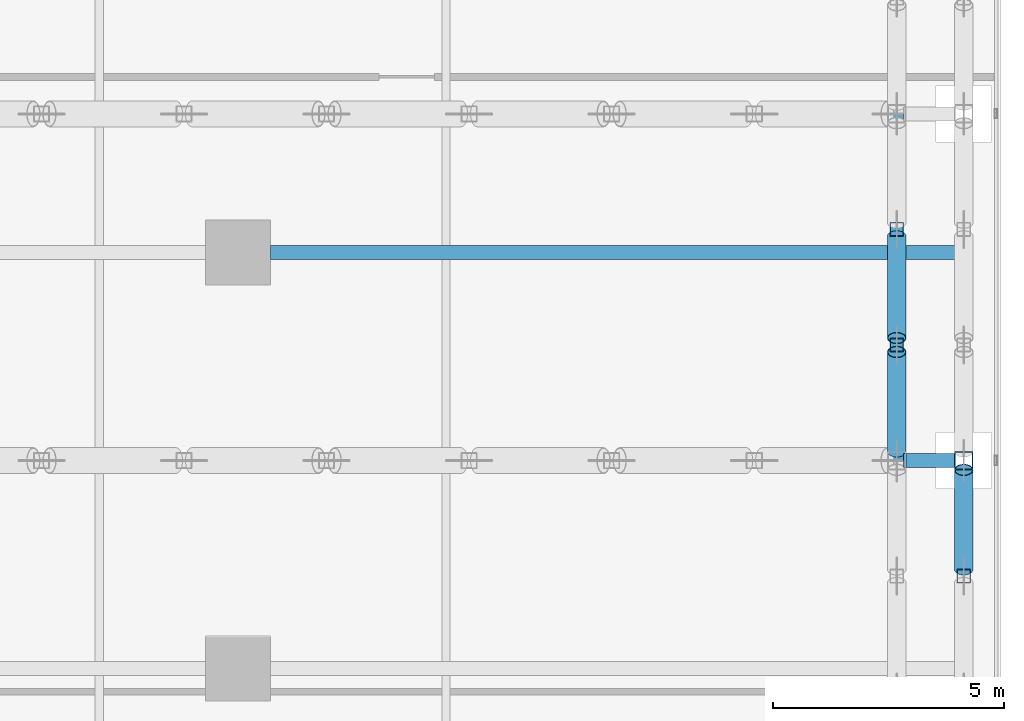
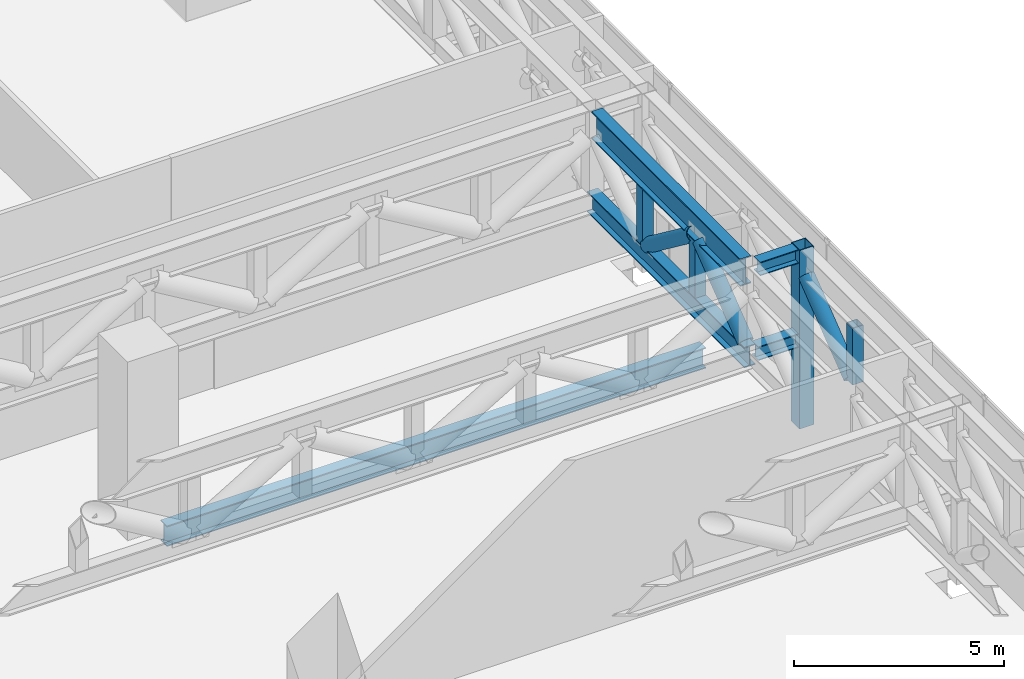
# One storey, part 15 of 39: 9 members, 3 beams.
"""IFC4 building model written with IfcOpenShell, lengths in metres."""

from ifc_helpers import new_model, si_unit, direction, frame, origin, origin_2d, place, context, subcontext, project, spatial, hollow_rectangle, hollow_circle, i_section, extrude, source, transform, mapped, material, material_profile, profile_set, type_object, element, save


model = new_model("IFC4")

# Units and contexts
model_context = context("Model", 3, precision=1e-05, world=origin(), true_north=direction((0.0, 1.0)))
body_context = subcontext(model_context, "Body", "Model", "MODEL_VIEW")
ifc_project = project(units=[si_unit("LENGTHUNIT", "METRE"), si_unit("AREAUNIT", "SQUARE_METRE"), si_unit("VOLUMEUNIT", "CUBIC_METRE"), si_unit("PLANEANGLEUNIT", "RADIAN"), si_unit("MASSUNIT", "GRAM", prefix="KILO")], contexts=[model_context])

# Site, building, storey
site_placement = place(None, origin())
site = spatial("IfcSite", under=ifc_project, at=site_placement, CompositionType="ELEMENT")
building_placement = place(site_placement, origin())
building = spatial("IfcBuilding", under=site, at=building_placement, Name="Khomas Fold Tower", CompositionType="ELEMENT")
storey_placement = place(building_placement, frame((0.0, 0.0, 96.0)))
storey = spatial("IfcBuildingStorey", under=building, at=storey_placement, Name="L20", CompositionType="ELEMENT", Elevation=96.0)

# Beam
ifc_material_1 = material(Name="Steel S355", Category="steel")
ifc_material_profile_1 = material_profile(ifc_material_1, i_section(OverallWidth=0.300048828125, OverallDepth=0.60009765625, WebThickness=0.015380859375, FlangeThickness=0.030029296875, at=origin_2d()), Name="HE 600 B")
ifc_profile_set_1 = profile_set([ifc_material_profile_1], Name="Steel S355")
beam_type_1 = type_object("IfcBeamType", Name="HE 600 B beam GB5", PredefinedType="BEAM", material=ifc_profile_set_1)
shared_shape_1 = source(origin(), body_context, "Body", "SweptSolid", [
    extrude(i_section(OverallWidth=0.300048828125, OverallDepth=0.60009765625, WebThickness=0.015380859375, FlangeThickness=0.030029296875, at=origin_2d()), origin(), (0.0, 0.0, 1.0), 14.85009765625),
])
beam_1_placement = place(storey_placement, frame((38.199951171875, 31.5, -0.699951171875), z_axis=(1.0, 0.0, 0.0), x_axis=(0.0, 1.0, 0.0)))
element("IfcBeam", 1, at=beam_1_placement, inside=storey, type_object=beam_type_1, Name="GB5", PredefinedType="BEAM", context=body_context, shape_type="MappedRepresentation", body=[
    mapped(shared_shape_1, transform((0.0, 0.0, 0.0))),
])

# Members
ifc_material_2 = material(Name="Steel S355", Category="steel")
ifc_material_profile_2 = material_profile(ifc_material_2, i_section(OverallWidth=0.300048828125, OverallDepth=0.60009765625, WebThickness=0.015380859375, FlangeThickness=0.030029296875, at=origin_2d()), Name="HE 600 B")
ifc_profile_set_2 = profile_set([ifc_material_profile_2], Name="Steel S355")
member_type_1 = type_object("IfcMemberType", Name="BELT TRUSS 1 BOTTOM CHORD HE 600 B", PredefinedType="CHORD", material=ifc_profile_set_2)
shared_shape_2 = source(origin(), body_context, "Body", "SweptSolid", [
    extrude(i_section(OverallWidth=0.300048828125, OverallDepth=0.60009765625, WebThickness=0.015380859375, FlangeThickness=0.030029296875, at=origin_2d()), origin(), (0.0, 0.0, 1.0), 7.5),
])
member_1_placement = place(storey_placement, frame((51.75, 27.0, 2.449951171875), z_axis=(0.0, 1.0, 0.0), x_axis=(-1.0, 0.0, 0.0)))
element("IfcMember", 2, at=member_1_placement, inside=storey, type_object=member_type_1, Name="BT1-CB", PredefinedType="CHORD", context=body_context, shape_type="MappedRepresentation", body=[
    mapped(shared_shape_2, transform((0.0, 0.0, 0.0))),
])
ifc_material_3 = material(Name="Steel S355", Category="steel")
ifc_material_profile_3 = material_profile(ifc_material_3, hollow_rectangle(XDim=0.300048828125, YDim=0.300048828125, WallThickness=0.01611328125, at=origin_2d()), Name="SHS 300x300x16")
ifc_profile_set_3 = profile_set([ifc_material_profile_3], Name="Steel S355")
member_type_2 = type_object("IfcMemberType", Name="BELT TRUSS 1 MID POST SHS 300x300x16", PredefinedType="POST", material=ifc_profile_set_3)
shared_shape_3 = source(origin(), body_context, "Body", "SweptSolid", [
    extrude(hollow_rectangle(XDim=0.300048828125, YDim=0.300048828125, WallThickness=0.01611328125, at=origin_2d()), origin(), (0.0, 0.0, 1.0), 1.64990234375),
])
for number, where, z_axis, x_axis, name in (
    (3, (53.199951171875, 24.5, 2.75), (0.0, 0.0, 1.0), (1.0, 0.0, 0.0), "BT1-M"),
    (4, (51.75, 29.5, 2.75), (0.0, 0.0, 1.0), (1.0, 0.0, 0.0), "BT1-M"),
    (5, (51.75, 32.0, 2.75), (0.0, 0.0, 1.0), (1.0, 0.0, 0.0), "BT1-M"),
):
    element("IfcMember", number, at=place(storey_placement, frame(where, z_axis=z_axis, x_axis=x_axis)), inside=storey, type_object=member_type_2, Name=name, PredefinedType="POST", context=body_context, shape_type="MappedRepresentation", body=[
        mapped(shared_shape_3, transform((0.0, 0.0, 0.0))),
    ])
ifc_material_4 = material(Name="Steel S460M", Category="steel")
ifc_material_profile_4 = material_profile(ifc_material_4, i_section(OverallWidth=0.300048828125, OverallDepth=0.800048828125, WebThickness=0.017578125, FlangeThickness=0.032958984375, at=origin_2d()), Name="HE 800 B")
ifc_profile_set_4 = profile_set([ifc_material_profile_4], Name="Steel S460M")
member_type_3 = type_object("IfcMemberType", Name="BELT TRUSS 1 TOP CHORD HE 800 B", PredefinedType="CHORD", material=ifc_profile_set_4)
shared_shape_4 = source(origin(), body_context, "Body", "SweptSolid", [
    extrude(i_section(OverallWidth=0.300048828125, OverallDepth=0.800048828125, WebThickness=0.017578125, FlangeThickness=0.032958984375, at=origin_2d()), origin(), (0.0, 0.0, 1.0), 7.10009765625),
])
member_2_placement = place(storey_placement, frame((51.75, 27.199951171875, 4.800048828125), z_axis=(0.0, 1.0, 0.0), x_axis=(-1.0, 0.0, 0.0)))
element("IfcMember", 6, at=member_2_placement, inside=storey, type_object=member_type_3, Name="BT1-CT", PredefinedType="CHORD", context=body_context, shape_type="MappedRepresentation", body=[
    mapped(shared_shape_4, transform((0.0, 0.0, 0.0))),
])
ifc_material_5 = material(Name="Steel S355", Category="steel")
ifc_material_profile_5 = material_profile(ifc_material_5, hollow_circle(Radius=0.203125, WallThickness=0.01611328125, at=origin_2d()), Name="CHS 406.4x16")
ifc_profile_set_5 = profile_set([ifc_material_profile_5], Name="Steel S355")
member_type_4 = type_object("IfcMemberType", Name="BELT TRUSS 1 DIAGONAL CHS 406.4x16", PredefinedType="BRACE", material=ifc_profile_set_5)
shared_shape_5 = source(origin(), body_context, "Body", "SweptSolid", [
    extrude(hollow_circle(Radius=0.203125, WallThickness=0.01611328125, at=origin_2d()), origin(), (0.0, 0.0, 1.0), 2.71630859375),
])
for number, where, z_axis, x_axis, name in (
    (7, (53.199951171875, 24.64990234375, 2.7451171875), (0.0, 0.791563625226, 0.611086759159), (-1.0, 0.0, 0.0), "BT1-D"),
    (8, (51.75, 27.199951171875, 2.7451171875), (0.0, 0.791563625226, 0.611086759159), (-1.0, 0.0, 0.0), "BT1-D"),
):
    element("IfcMember", number, at=place(storey_placement, frame(where, z_axis=z_axis, x_axis=x_axis)), inside=storey, type_object=member_type_4, Name=name, PredefinedType="BRACE", context=body_context, shape_type="MappedRepresentation", body=[
        mapped(shared_shape_5, transform((0.0, 0.0, 0.0))),
    ])
shared_shape_6 = source(origin(), body_context, "Body", "SweptSolid", [
    extrude(hollow_circle(Radius=0.203125, WallThickness=0.01611328125, at=origin_2d()), origin(), (0.0, 0.0, 1.0), 2.756103515625),
])
member_3_placement = place(storey_placement, frame((51.75, 29.64990234375, 4.405029296875), z_axis=(0.0, 0.798296022167, -0.602265274602), x_axis=(-1.0, 0.0, 0.0)))
element("IfcMember", 9, at=member_3_placement, inside=storey, type_object=member_type_4, Name="BT1-D", PredefinedType="BRACE", context=body_context, shape_type="MappedRepresentation", body=[
    mapped(shared_shape_6, transform((0.0, 0.0, 0.0))),
])
ifc_material_6 = material(Name="Steel S460M", Category="steel")
ifc_material_profile_6 = material_profile(ifc_material_6, hollow_rectangle(XDim=0.39990234375, YDim=0.39990234375, WallThickness=0.02001953125, at=origin_2d()), Name="SHS 400x400x20")
ifc_profile_set_6 = profile_set([ifc_material_profile_6], Name="Steel S460M")
member_type_5 = type_object("IfcMemberType", Name="BELT TRUSS 1 COLUMN POST LONG SHS 400x400x20", PredefinedType="POST", material=ifc_profile_set_6)
shared_shape_7 = source(origin(), body_context, "Body", "SweptSolid", [
    extrude(hollow_rectangle(XDim=0.39990234375, YDim=0.39990234375, WallThickness=0.02001953125, at=origin_2d()), origin(), (0.0, 0.0, 1.0), 5.199951171875),
])
member_4_placement = place(storey_placement, frame((53.199951171875, 27.0, 0.0), z_axis=(0.0, 0.0, 1.0), x_axis=(1.0, 0.0, 0.0)))
element("IfcMember", 10, at=member_4_placement, inside=storey, type_object=member_type_5, Name="BT1-PL", PredefinedType="POST", context=body_context, shape_type="MappedRepresentation", body=[
    mapped(shared_shape_7, transform((0.0, 0.0, 0.0))),
])

# Beams
ifc_material_7 = material(Name="Steel S355", Category="steel")
ifc_material_profile_7 = material_profile(ifc_material_7, i_section(OverallWidth=0.300048828125, OverallDepth=0.39990234375, WebThickness=0.013427734375, FlangeThickness=0.02392578125, at=origin_2d()), Name="HE 400 B")
ifc_profile_set_7 = profile_set([ifc_material_profile_7], Name="Steel S355")
beam_type_2 = type_object("IfcBeamType", Name="BELT TRUSS 1 TOP STRUT HE 400 B", PredefinedType="BEAM", material=ifc_profile_set_7)
shared_shape_8 = source(origin(), body_context, "Body", "SweptSolid", [
    extrude(i_section(OverallWidth=0.300048828125, OverallDepth=0.39990234375, WebThickness=0.013427734375, FlangeThickness=0.02392578125, at=origin_2d()), origin(), (0.0, 0.0, 1.0), 1.050048828125),
])
beam_2_placement = place(storey_placement, frame((51.949951171875, 27.0, 5.0), z_axis=(1.0, 0.0, 0.0), x_axis=(0.0, 1.0, 0.0)))
element("IfcBeam", 11, at=beam_2_placement, inside=storey, type_object=beam_type_2, Name="BT1-ST", PredefinedType="BEAM", context=body_context, shape_type="MappedRepresentation", body=[
    mapped(shared_shape_8, transform((0.0, 0.0, 0.0))),
])
ifc_material_8 = material(Name="Steel S355", Category="steel")
ifc_material_profile_8 = material_profile(ifc_material_8, i_section(OverallWidth=0.300048828125, OverallDepth=0.39990234375, WebThickness=0.013427734375, FlangeThickness=0.02392578125, at=origin_2d()), Name="HE 400 B")
ifc_profile_set_8 = profile_set([ifc_material_profile_8], Name="Steel S355")
beam_type_3 = type_object("IfcBeamType", Name="BELT TRUSS 1 BOTTOM STRUT HE 400 B", PredefinedType="BEAM", material=ifc_profile_set_8)
shared_shape_9 = source(origin(), body_context, "Body", "SweptSolid", [
    extrude(i_section(OverallWidth=0.300048828125, OverallDepth=0.39990234375, WebThickness=0.013427734375, FlangeThickness=0.02392578125, at=origin_2d()), origin(), (0.0, 0.0, 1.0), 1.10009765625),
])
beam_3_placement = place(storey_placement, frame((51.89990234375, 27.0, 2.550048828125), z_axis=(1.0, 0.0, 0.0), x_axis=(0.0, 1.0, 0.0)))
element("IfcBeam", 12, at=beam_3_placement, inside=storey, type_object=beam_type_3, Name="BT1-SB", PredefinedType="BEAM", context=body_context, shape_type="MappedRepresentation", body=[
    mapped(shared_shape_9, transform((0.0, 0.0, 0.0))),
])

save(model, "model.ifc")
